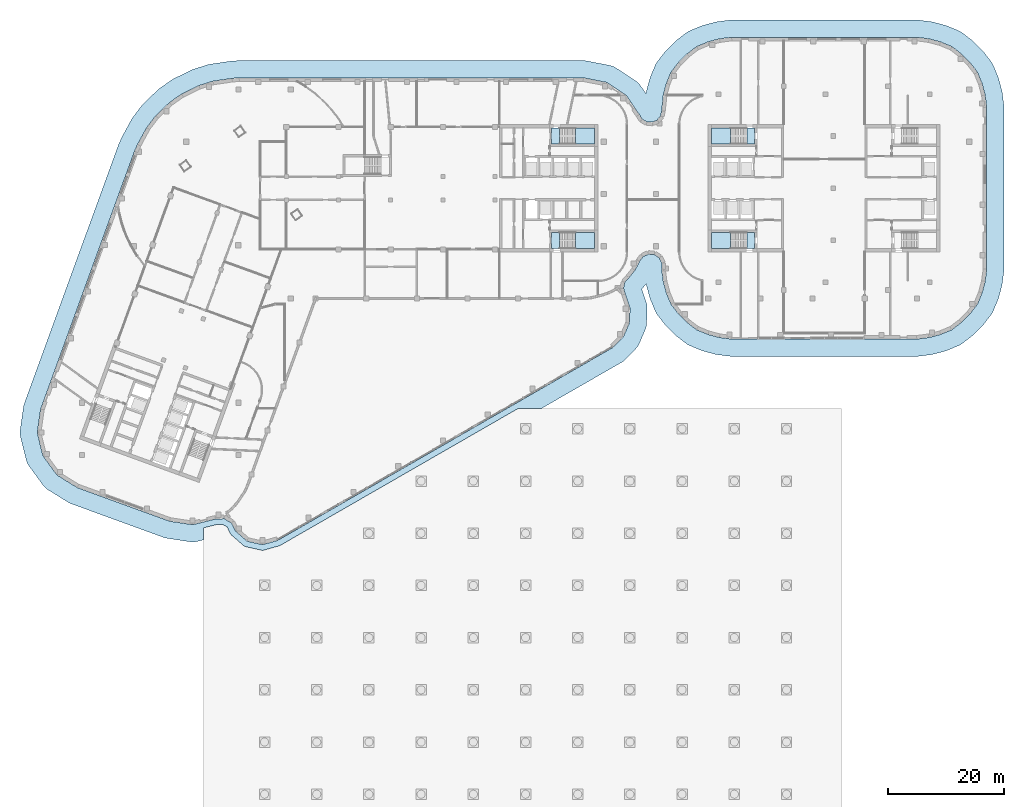
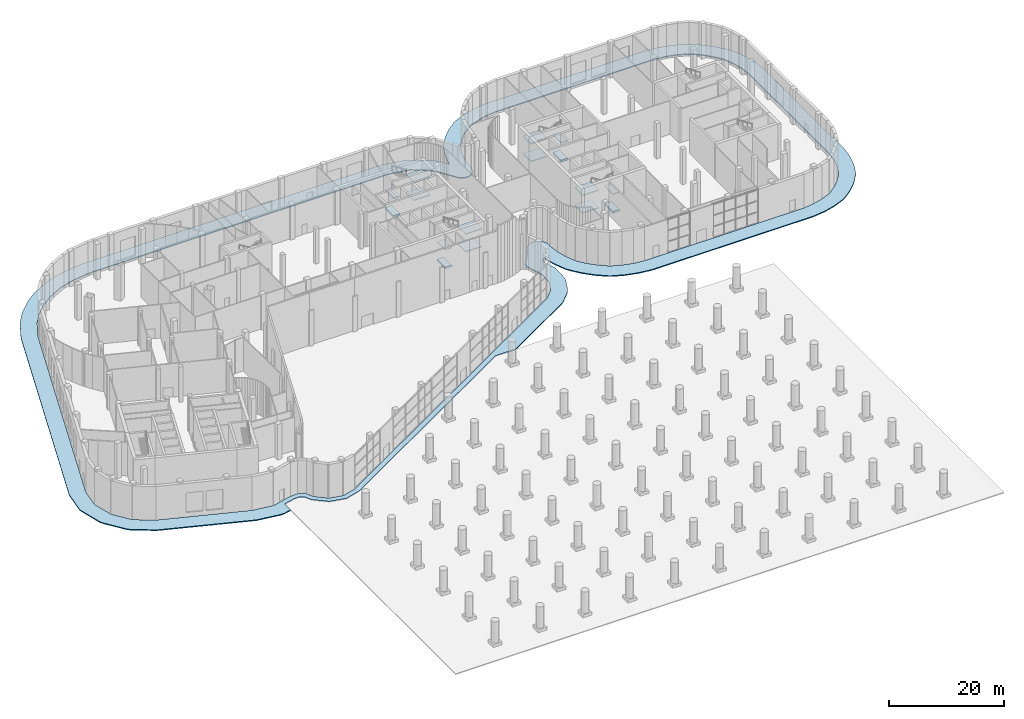
# One storey, part 10 of 30: 17 slabs, 4 elements without a shape of their own.
"""IFC4 building model written with IfcOpenShell, lengths in metres."""

from ifc_helpers import new_model, si_unit, direction, frame, origin, place, context, subcontext, project, spatial, polyline, outline, extrude, material, layer, layer_set, type_object, element, aggregate, save


model = new_model("IFC4")

# Units and contexts
model_context = context("Model", 3, precision=1e-05, world=origin(), true_north=direction((0.0, 1.0)))
body_context = subcontext(model_context, "Body", "Model", "MODEL_VIEW")
ifc_project = project(units=[si_unit("LENGTHUNIT", "METRE"), si_unit("AREAUNIT", "SQUARE_METRE"), si_unit("VOLUMEUNIT", "CUBIC_METRE"), si_unit("PLANEANGLEUNIT", "RADIAN"), si_unit("MASSUNIT", "GRAM", prefix="KILO")], contexts=[model_context])

# Site, building, storey
site_placement = place(None, origin())
site = spatial("IfcSite", under=ifc_project, at=site_placement, CompositionType="ELEMENT")
building_placement = place(site_placement, origin())
building = spatial("IfcBuilding", under=site, at=building_placement, Name="Skarvind Civic Tower", CompositionType="ELEMENT")
storey_placement = place(building_placement, origin())
storey = spatial("IfcBuildingStorey", under=building, at=storey_placement, Name="L00", CompositionType="ELEMENT", Elevation=0.0)

# Slabs
ifc_material_1 = material(Name="Granite paving on bedding", Category="masonry")
ifc_layer_1 = layer(ifc_material_1, 0.199951171875)
ifc_layer_set_1 = layer_set([ifc_layer_1], Name="PV1 PAVING 200")
slab_type_1 = type_object("IfcSlabType", Name="PV1 PAVING 200", PredefinedType="USERDEFINED", material=ifc_layer_set_1)
slab_1_placement = place(storey_placement, frame((0.0, 0.0, -0.199951171875)))
element("IfcSlab", 1, at=slab_1_placement, inside=storey, type_object=slab_type_1, Name="FORECOURT PAVING", ObjectType="PAVING", PredefinedType="USERDEFINED", context=body_context, shape_type="SweptSolid", body=[
    extrude(outline(polyline([(38.548583984375, 67.022216796875), (38.25390625, 66.99365234375), (37.95751953125, 66.99462890625), (37.66259765625, 67.02490234375), (33.677490234375, 67.63232421875), (33.386962890625, 67.69140625), (33.103759765625, 67.779052734375), (17.169921875, 73.57861328125), (16.885009765625, 73.69921875), (16.614013671875, 73.848388671875), (13.1376953125, 76.006103515625), (12.8994140625, 76.17041015625), (12.677978515625, 76.356689453125), (12.4755859375, 76.563720703125), (12.294189453125, 76.789306640625), (9.885986328125, 80.0966796875), (9.72705078125, 80.338623046875), (9.59228515625, 80.5947265625), (9.48291015625, 80.86279296875), (9.399658203125, 81.139892578125), (8.413818359375, 85.11083984375), (8.35791015625, 85.394775390625), (8.329345703125, 85.6826171875), (8.32861328125, 85.97216796875), (8.35595703125, 86.26025390625), (8.937744140625, 90.31005859375), (8.99755859375, 90.61376953125), (9.08837890625, 90.909423828125), (25.287841796875, 135.41748046875), (25.37109375, 135.62255859375), (25.87060546875, 136.732177734375), (25.96875, 136.9306640625), (27.564453125, 139.87451171875), (27.6826171875, 140.073486328125), (27.815673828125, 140.26318359375), (29.337890625, 142.2607421875), (29.4853515625, 142.439453125), (29.64599609375, 142.606201171875), (32.0556640625, 144.9208984375), (32.228759765625, 145.07470703125), (32.4130859375, 145.214599609375), (34.470458984375, 146.6552734375), (34.6650390625, 146.78076171875), (34.868896484375, 146.890625), (37.8681640625, 148.36328125), (38.07958984375, 148.45751953125), (38.298095703125, 148.53466796875), (40.69580078125, 149.281982421875), (40.91943359375, 149.34228515625), (41.14697265625, 149.385009765625), (44.458984375, 149.877685546875), (44.67919921875, 149.902099609375), (45.892578125, 149.99169921875), (46.114013671875, 150.0), (105.478271484375, 150.0), (105.76611328125, 149.986083984375), (106.05126953125, 149.94482421875), (110.022216796875, 149.172119140625), (110.305908203125, 149.102294921875), (110.581298828125, 149.005615234375), (110.845947265625, 148.88232421875), (111.097412109375, 148.73388671875), (114.477783203125, 146.51123046875), (114.713623046875, 146.339111328125), (114.931640625, 146.144775390625), (115.129638671875, 145.930419921875), (115.30615234375, 145.697509765625), (116.281005859375, 144.27099609375), (116.293212890625, 144.39208984375), (116.327392578125, 144.6318359375), (116.380615234375, 144.8681640625), (116.90380859375, 146.82177734375), (117.029541015625, 147.1923828125), (117.837890625, 149.145751953125), (117.94873046875, 149.383544921875), (118.080078125, 149.61083984375), (118.230712890625, 149.82568359375), (119.518310546875, 151.50244140625), (119.776123046875, 151.796630859375), (121.203369140625, 153.223876953125), (121.49755859375, 153.481689453125), (123.17431640625, 154.769287109375), (123.38916015625, 154.919921875), (123.616455078125, 155.05126953125), (123.854248046875, 155.162109375), (125.8076171875, 155.970458984375), (126.17822265625, 156.09619140625), (128.1318359375, 156.619384765625), (128.516845703125, 156.696044921875), (130.630126953125, 156.974365234375), (131.021728515625, 157.0), (162.978271484375, 157.0), (163.369873046875, 156.974365234375), (165.483154296875, 156.696044921875), (165.8681640625, 156.619384765625), (167.82177734375, 156.09619140625), (168.1923828125, 155.970458984375), (170.145751953125, 155.162109375), (170.383544921875, 155.05126953125), (170.61083984375, 154.919921875), (170.82568359375, 154.769287109375), (172.50244140625, 153.481689453125), (172.796630859375, 153.223876953125), (174.223876953125, 151.796630859375), (174.481689453125, 151.50244140625), (175.769287109375, 149.82568359375), (175.919921875, 149.61083984375), (176.05126953125, 149.383544921875), (176.162109375, 149.145751953125), (176.970458984375, 147.1923828125), (177.09619140625, 146.82177734375), (177.619384765625, 144.8681640625), (177.696044921875, 144.483154296875), (177.974365234375, 142.369873046875), (178.0, 141.978271484375), (178.0, 114.021728515625), (177.974365234375, 113.630126953125), (177.696044921875, 111.516845703125), (177.619384765625, 111.1318359375), (177.09619140625, 109.17822265625), (176.970458984375, 108.8076171875), (176.162109375, 106.854248046875), (176.05126953125, 106.616455078125), (175.919921875, 106.38916015625), (175.769287109375, 106.17431640625), (174.481689453125, 104.49755859375), (174.223876953125, 104.203369140625), (172.796630859375, 102.776123046875), (172.50244140625, 102.518310546875), (170.82568359375, 101.230712890625), (170.61083984375, 101.080078125), (170.383544921875, 100.94873046875), (170.145751953125, 100.837890625), (168.1923828125, 100.029541015625), (167.82177734375, 99.90380859375), (165.8681640625, 99.380615234375), (165.483154296875, 99.303955078125), (163.369873046875, 99.025634765625), (162.978271484375, 99.0), (131.021728515625, 99.0), (130.630126953125, 99.025634765625), (128.516845703125, 99.303955078125), (128.1318359375, 99.380615234375), (126.17822265625, 99.90380859375), (125.8076171875, 100.029541015625), (123.854248046875, 100.837890625), (123.616455078125, 100.94873046875), (123.38916015625, 101.080078125), (123.17431640625, 101.230712890625), (121.49755859375, 102.518310546875), (121.203369140625, 102.776123046875), (119.776123046875, 104.203369140625), (119.518310546875, 104.49755859375), (118.230712890625, 106.17431640625), (118.080078125, 106.38916015625), (117.94873046875, 106.616455078125), (117.837890625, 106.854248046875), (117.029541015625, 108.8076171875), (116.90380859375, 109.17822265625), (116.380615234375, 111.1318359375), (116.3046875, 111.5126953125), (115.63330078125, 110.684814453125), (115.5517578125, 110.5888671875), (116.327392578125, 108.26318359375), (116.40185546875, 108.000732421875), (116.4521484375, 107.732666015625), (116.477783203125, 107.4609375), (116.478759765625, 107.188232421875), (116.37158203125, 104.635009765625), (116.347900390625, 104.36328125), (116.29931640625, 104.0947265625), (116.226806640625, 103.831787109375), (116.130615234375, 103.576416015625), (115.12158203125, 101.228515625), (115.002685546875, 100.98291015625), (114.86181640625, 100.74951171875), (114.7001953125, 100.529296875), (114.51953125, 100.3251953125), (112.740966796875, 98.489990234375), (112.5380859375, 98.29931640625), (112.318115234375, 98.1279296875), (112.083251953125, 97.977783203125), (98.221923828125, 90.0), (94.21240234375, 90.0), (53.25, 66.42431640625), (53.177490234375, 66.386474609375), (53.101806640625, 66.3544921875), (53.02392578125, 66.328857421875), (50.428955078125, 65.593505859375), (50.33251953125, 65.571044921875), (50.234375, 65.55859375), (50.135498046875, 65.5556640625), (50.03662109375, 65.5625), (49.939208984375, 65.579345703125), (47.30615234375, 66.164794921875), (47.210693359375, 66.191162109375), (47.118408203125, 66.226806640625), (47.030029296875, 66.271240234375), (46.9462890625, 66.32421875), (46.868408203125, 66.38525390625), (44.829833984375, 68.1513671875), (44.756591796875, 68.2216796875), (44.69091796875, 68.298828125), (44.63330078125, 68.382568359375), (44.58447265625, 68.471435546875), (44.05859375, 69.557861328125), (43.279052734375, 70.021484375), (42.172119140625, 69.969970703125), (40.0, 69.42919921875), (40.0, 67.3681640625), (38.839599609375, 67.079345703125), (38.548583984375, 67.022216796875)]), holes=[polyline([(52.76123046875, 67.273681640625), (110.5966796875, 100.560546875), (110.598388671875, 100.5615234375), (110.599853515625, 100.562744140625), (110.601318359375, 100.56396484375), (112.379638671875, 102.399169921875), (112.380859375, 102.400390625), (112.3818359375, 102.40185546875), (112.3828125, 102.403564453125), (112.3837890625, 102.405029296875), (113.392578125, 104.7529296875), (113.393310546875, 104.754638671875), (113.393798828125, 104.75634765625), (113.39404296875, 104.75830078125), (113.394287109375, 104.760009765625), (113.50146484375, 107.313232421875), (113.50146484375, 107.315185546875), (113.501220703125, 107.31689453125), (113.5009765625, 107.318603515625), (113.50048828125, 107.3203125), (112.69189453125, 109.744384765625), (112.3916015625, 110.752685546875), (112.618896484375, 111.77490234375), (113.318359375, 112.561279296875), (113.31884765625, 112.56201171875), (114.3818359375, 113.87255859375), (114.38330078125, 113.874267578125), (114.38427734375, 113.876220703125), (115.14990234375, 115.377685546875), (115.763427734375, 116.19580078125), (116.69384765625, 116.61181640625), (117.709228515625, 116.52392578125), (118.55419921875, 115.954345703125), (119.0166015625, 115.046142578125), (118.97998046875, 114.0224609375), (118.97998046875, 114.02099609375), (118.980224609375, 114.019287109375), (119.25830078125, 111.90576171875), (119.2587890625, 111.9033203125), (119.782470703125, 109.94970703125), (119.783203125, 109.947021484375), (120.591552734375, 107.99365234375), (120.59228515625, 107.9921875), (120.593017578125, 107.990478515625), (120.593994140625, 107.989013671875), (121.881591796875, 106.3125), (121.88330078125, 106.310546875), (123.310546875, 104.88330078125), (123.3125, 104.881591796875), (124.989013671875, 103.593994140625), (124.990478515625, 103.593017578125), (124.9921875, 103.59228515625), (124.99365234375, 103.591552734375), (126.947021484375, 102.783203125), (126.94970703125, 102.782470703125), (128.9033203125, 102.2587890625), (128.90576171875, 102.25830078125), (131.019287109375, 101.980224609375), (131.021728515625, 101.97998046875), (162.978271484375, 101.97998046875), (162.980712890625, 101.980224609375), (165.09423828125, 102.25830078125), (165.0966796875, 102.2587890625), (167.05029296875, 102.782470703125), (167.052978515625, 102.783203125), (169.00634765625, 103.591552734375), (169.0078125, 103.59228515625), (169.009521484375, 103.593017578125), (169.010986328125, 103.593994140625), (170.6875, 104.881591796875), (170.689453125, 104.88330078125), (172.11669921875, 106.310546875), (172.118408203125, 106.3125), (173.406005859375, 107.989013671875), (173.406982421875, 107.990478515625), (173.40771484375, 107.9921875), (173.408447265625, 107.99365234375), (174.216796875, 109.947021484375), (174.217529296875, 109.94970703125), (174.7412109375, 111.9033203125), (174.74169921875, 111.90576171875), (175.019775390625, 114.019287109375), (175.02001953125, 114.021728515625), (175.02001953125, 141.978271484375), (175.019775390625, 141.980712890625), (174.74169921875, 144.09423828125), (174.7412109375, 144.0966796875), (174.217529296875, 146.05029296875), (174.216796875, 146.052978515625), (173.408447265625, 148.00634765625), (173.40771484375, 148.0078125), (173.406982421875, 148.009521484375), (173.406005859375, 148.010986328125), (172.118408203125, 149.6875), (172.11669921875, 149.689453125), (170.689453125, 151.11669921875), (170.6875, 151.118408203125), (169.010986328125, 152.406005859375), (169.009521484375, 152.406982421875), (169.0078125, 152.40771484375), (169.00634765625, 152.408447265625), (167.052978515625, 153.216796875), (167.05029296875, 153.217529296875), (165.0966796875, 153.7412109375), (165.09423828125, 153.74169921875), (162.980712890625, 154.019775390625), (162.978271484375, 154.02001953125), (131.021728515625, 154.02001953125), (131.019287109375, 154.019775390625), (128.90576171875, 153.74169921875), (128.9033203125, 153.7412109375), (126.94970703125, 153.217529296875), (126.947021484375, 153.216796875), (124.99365234375, 152.408447265625), (124.9921875, 152.40771484375), (124.990478515625, 152.406982421875), (124.989013671875, 152.406005859375), (123.3125, 151.118408203125), (123.310546875, 151.11669921875), (121.88330078125, 149.689453125), (121.881591796875, 149.6875), (120.593994140625, 148.010986328125), (120.593017578125, 148.009521484375), (120.59228515625, 148.0078125), (120.591552734375, 148.00634765625), (119.783203125, 146.052978515625), (119.782470703125, 146.05029296875), (119.2587890625, 144.0966796875), (119.258544921875, 144.09521484375), (119.25830078125, 144.093505859375), (118.980224609375, 141.33154296875), (118.76708984375, 140.4365234375), (118.17578125, 139.736083984375), (117.33251953125, 139.376953125), (116.41796875, 139.436279296875), (115.6279296875, 139.90087890625), (115.129150390625, 140.675537109375), (115.12890625, 140.676025390625), (112.845947265625, 144.015869140625), (112.8447265625, 144.017333984375), (112.843505859375, 144.018798828125), (112.842041015625, 144.02001953125), (112.84033203125, 144.021240234375), (109.460205078125, 146.243896484375), (109.45849609375, 146.2451171875), (109.456787109375, 146.245849609375), (109.454833984375, 146.24658203125), (109.452880859375, 146.246826171875), (105.48193359375, 147.01953125), (105.47998046875, 147.02001953125), (105.478271484375, 147.02001953125), (46.114013671875, 147.02001953125), (46.1123046875, 147.02001953125), (44.89892578125, 146.93017578125), (44.8974609375, 146.929931640625), (41.585205078125, 146.4375), (41.583740234375, 146.437255859375), (41.582275390625, 146.436767578125), (39.184326171875, 145.689697265625), (39.18310546875, 145.689208984375), (39.181640625, 145.6884765625), (36.182373046875, 144.2158203125), (36.180908203125, 144.215087890625), (36.1796875, 144.214111328125), (34.122314453125, 142.773681640625), (34.12109375, 142.772705078125), (34.1201171875, 142.771728515625), (31.710205078125, 140.45703125), (31.709228515625, 140.455810546875), (31.708251953125, 140.45458984375), (30.18603515625, 138.45703125), (30.18505859375, 138.455810546875), (30.184326171875, 138.454345703125), (28.588623046875, 135.510498046875), (28.587890625, 135.50927734375), (28.088623046875, 134.399658203125), (28.088134765625, 134.398193359375), (11.888671875, 89.890380859375), (11.887939453125, 89.888427734375), (11.887451171875, 89.88623046875), (11.3056640625, 85.83642578125), (11.305419921875, 85.83447265625), (11.305419921875, 85.83251953125), (11.3056640625, 85.830810546875), (11.30615234375, 85.828857421875), (12.291748046875, 81.85791015625), (12.29248046875, 81.85595703125), (12.293212890625, 81.854248046875), (12.2939453125, 81.8525390625), (12.295166015625, 81.850830078125), (14.703369140625, 78.543212890625), (14.70458984375, 78.541748046875), (14.705810546875, 78.540283203125), (14.70751953125, 78.5390625), (14.708984375, 78.5380859375), (18.185302734375, 76.380615234375), (18.187255859375, 76.37939453125), (18.189208984375, 76.378662109375), (34.122802734375, 70.579345703125), (34.124755859375, 70.57861328125), (34.126708984375, 70.578369140625), (38.11181640625, 69.970703125), (38.11376953125, 69.970703125), (38.11572265625, 69.970458984375), (38.11767578125, 69.970703125), (38.11962890625, 69.97119140625), (42.029541015625, 70.9443359375), (43.52734375, 71.01416015625), (44.8125, 70.249755859375), (45.466552734375, 68.8984375), (45.467529296875, 68.896728515625), (45.46875, 68.89501953125), (45.469970703125, 68.8935546875), (45.471435546875, 68.89208984375), (47.51025390625, 67.1259765625), (47.51171875, 67.124755859375), (47.513427734375, 67.123779296875), (47.51513671875, 67.122802734375), (47.51708984375, 67.1220703125), (47.518798828125, 67.12158203125), (50.15185546875, 66.535888671875), (50.15380859375, 66.53564453125), (50.15576171875, 66.535400390625), (50.15771484375, 66.535400390625), (50.15966796875, 66.535888671875), (50.16162109375, 66.5361328125), (52.756591796875, 67.271728515625), (52.75830078125, 67.272216796875), (52.759765625, 67.27294921875), (52.76123046875, 67.273681640625)])]), origin(), (0.0, 0.0, 1.0), 0.199951171875),
])
ifc_material_2 = material(Name="Concrete C40/50", Category="concrete")
ifc_layer_2 = layer(ifc_material_2, 0.39990234375)
ifc_layer_set_2 = layer_set([ifc_layer_2], Name="Stair floor landing slab 400")
slab_type_2 = type_object("IfcSlabType", Name="Stair floor landing slab 400", PredefinedType="LANDING", material=ifc_layer_set_2)
slab_2_placement = place(storey_placement, frame((0.0, 0.0, -0.39990234375)))
element("IfcSlab", 2, at=slab_2_placement, inside=storey, type_object=slab_type_2, Name="Stair floor landing", PredefinedType="LANDING", context=body_context, shape_type="SweptSolid", body=[
    extrude(outline(polyline([(101.3505859375, 138.400634765625), (101.3505859375, 135.599365234375), (99.99951171875, 135.599365234375), (99.99951171875, 138.400634765625), (101.3505859375, 138.400634765625)])), origin(), (0.0, 0.0, 1.0), 0.39990234375),
])
slab_3_placement = place(storey_placement, frame((0.0, 0.0, -0.39990234375)))
element("IfcSlab", 3, at=slab_3_placement, inside=storey, type_object=slab_type_2, Name="Stair floor landing", PredefinedType="LANDING", context=body_context, shape_type="SweptSolid", body=[
    extrude(outline(polyline([(101.3505859375, 120.400634765625), (101.3505859375, 117.599365234375), (99.99951171875, 117.599365234375), (99.99951171875, 120.400634765625), (101.3505859375, 120.400634765625)])), origin(), (0.0, 0.0, 1.0), 0.39990234375),
])
slab_4_placement = place(storey_placement, frame((0.0, 0.0, -0.39990234375)))
element("IfcSlab", 4, at=slab_4_placement, inside=storey, type_object=slab_type_2, Name="Stair floor landing", PredefinedType="LANDING", context=body_context, shape_type="SweptSolid", body=[
    extrude(outline(polyline([(133.6494140625, 117.599365234375), (133.6494140625, 120.400634765625), (135.00048828125, 120.400634765625), (135.00048828125, 117.599365234375), (133.6494140625, 117.599365234375)])), origin(), (0.0, 0.0, 1.0), 0.39990234375),
])
slab_5_placement = place(storey_placement, frame((0.0, 0.0, -0.39990234375)))
element("IfcSlab", 5, at=slab_5_placement, inside=storey, type_object=slab_type_2, Name="Stair floor landing", PredefinedType="LANDING", context=body_context, shape_type="SweptSolid", body=[
    extrude(outline(polyline([(133.6494140625, 135.599365234375), (133.6494140625, 138.400634765625), (135.00048828125, 138.400634765625), (135.00048828125, 135.599365234375), (133.6494140625, 135.599365234375)])), origin(), (0.0, 0.0, 1.0), 0.39990234375),
])

# Stair, slabs
stair_type = type_object("IfcStairType", Name="Exit stair, half-turn, concrete", PredefinedType="HALF_TURN_STAIR", material=ifc_material_2)
stair_1_placement = place(storey_placement, origin())
stair_1 = element("IfcStair", 6, at=stair_1_placement, inside=storey, type_object=stair_type, Name="Exit stair C1S", PredefinedType="HALF_TURN_STAIR")
ifc_layer_3 = layer(ifc_material_2, 0.199951171875)
ifc_layer_set_3 = layer_set([ifc_layer_3], Name="Stair half landing slab")
slab_type_3 = type_object("IfcSlabType", Name="Stair half landing slab", PredefinedType="LANDING", material=ifc_layer_set_3)
slab_6_placement = place(storey_placement, frame((0.0, 0.0, 1.675048828125)))
slab_6 = element("IfcSlab", 7, at=slab_6_placement, type_object=slab_type_3, Name="ST-C1S landing 1", PredefinedType="LANDING", context=body_context, shape_type="SweptSolid", body=[
    extrude(outline(polyline([(104.1494140625, 135.599365234375), (104.1494140625, 138.400634765625), (107.400634765625, 138.400634765625), (107.400634765625, 135.599365234375), (104.1494140625, 135.599365234375)])), origin(), (0.0, 0.0, 1.0), 0.199951171875),
])
slab_7_placement = place(storey_placement, frame((0.0, 0.0, 3.550048828125)))
slab_7 = element("IfcSlab", 8, at=slab_7_placement, type_object=slab_type_3, Name="ST-C1S landing 2", PredefinedType="LANDING", context=body_context, shape_type="SweptSolid", body=[
    extrude(outline(polyline([(99.99951171875, 135.599365234375), (99.99951171875, 138.400634765625), (101.3505859375, 138.400634765625), (101.3505859375, 135.599365234375), (99.99951171875, 135.599365234375)])), origin(), (0.0, 0.0, 1.0), 0.199951171875),
])
slab_8_placement = place(storey_placement, frame((0.0, 0.0, 5.425048828125)))
slab_8 = element("IfcSlab", 9, at=slab_8_placement, type_object=slab_type_3, Name="ST-C1S landing 3", PredefinedType="LANDING", context=body_context, shape_type="SweptSolid", body=[
    extrude(outline(polyline([(104.1494140625, 135.599365234375), (104.1494140625, 138.400634765625), (107.400634765625, 138.400634765625), (107.400634765625, 135.599365234375), (104.1494140625, 135.599365234375)])), origin(), (0.0, 0.0, 1.0), 0.199951171875),
])
aggregate(stair_1, [slab_6, slab_7, slab_8])

stair_2_placement = place(storey_placement, origin())
stair_2 = element("IfcStair", 10, at=stair_2_placement, inside=storey, type_object=stair_type, Name="Exit stair C1N", PredefinedType="HALF_TURN_STAIR")
slab_9_placement = place(storey_placement, frame((0.0, 0.0, 1.675048828125)))
slab_9 = element("IfcSlab", 11, at=slab_9_placement, type_object=slab_type_3, Name="ST-C1N landing 1", PredefinedType="LANDING", context=body_context, shape_type="SweptSolid", body=[
    extrude(outline(polyline([(104.1494140625, 117.599365234375), (104.1494140625, 120.400634765625), (107.400634765625, 120.400634765625), (107.400634765625, 117.599365234375), (104.1494140625, 117.599365234375)])), origin(), (0.0, 0.0, 1.0), 0.199951171875),
])
slab_10_placement = place(storey_placement, frame((0.0, 0.0, 3.550048828125)))
slab_10 = element("IfcSlab", 12, at=slab_10_placement, type_object=slab_type_3, Name="ST-C1N landing 2", PredefinedType="LANDING", context=body_context, shape_type="SweptSolid", body=[
    extrude(outline(polyline([(99.99951171875, 117.599365234375), (99.99951171875, 120.400634765625), (101.3505859375, 120.400634765625), (101.3505859375, 117.599365234375), (99.99951171875, 117.599365234375)])), origin(), (0.0, 0.0, 1.0), 0.199951171875),
])
slab_11_placement = place(storey_placement, frame((0.0, 0.0, 5.425048828125)))
slab_11 = element("IfcSlab", 13, at=slab_11_placement, type_object=slab_type_3, Name="ST-C1N landing 3", PredefinedType="LANDING", context=body_context, shape_type="SweptSolid", body=[
    extrude(outline(polyline([(104.1494140625, 117.599365234375), (104.1494140625, 120.400634765625), (107.400634765625, 120.400634765625), (107.400634765625, 117.599365234375), (104.1494140625, 117.599365234375)])), origin(), (0.0, 0.0, 1.0), 0.199951171875),
])
aggregate(stair_2, [slab_9, slab_10, slab_11])

stair_3_placement = place(storey_placement, origin())
stair_3 = element("IfcStair", 14, at=stair_3_placement, inside=storey, type_object=stair_type, Name="Exit stair CAS", PredefinedType="HALF_TURN_STAIR")
slab_12_placement = place(storey_placement, frame((0.0, 0.0, 1.675048828125)))
slab_12 = element("IfcSlab", 15, at=slab_12_placement, type_object=slab_type_3, Name="ST-CAS landing 1", PredefinedType="LANDING", context=body_context, shape_type="SweptSolid", body=[
    extrude(outline(polyline([(130.8505859375, 120.400634765625), (130.8505859375, 117.599365234375), (127.599365234375, 117.599365234375), (127.599365234375, 120.400634765625), (130.8505859375, 120.400634765625)])), origin(), (0.0, 0.0, 1.0), 0.199951171875),
])
slab_13_placement = place(storey_placement, frame((0.0, 0.0, 3.550048828125)))
slab_13 = element("IfcSlab", 16, at=slab_13_placement, type_object=slab_type_3, Name="ST-CAS landing 2", PredefinedType="LANDING", context=body_context, shape_type="SweptSolid", body=[
    extrude(outline(polyline([(135.00048828125, 120.400634765625), (135.00048828125, 117.599365234375), (133.6494140625, 117.599365234375), (133.6494140625, 120.400634765625), (135.00048828125, 120.400634765625)])), origin(), (0.0, 0.0, 1.0), 0.199951171875),
])
slab_14_placement = place(storey_placement, frame((0.0, 0.0, 5.425048828125)))
slab_14 = element("IfcSlab", 17, at=slab_14_placement, type_object=slab_type_3, Name="ST-CAS landing 3", PredefinedType="LANDING", context=body_context, shape_type="SweptSolid", body=[
    extrude(outline(polyline([(130.8505859375, 120.400634765625), (130.8505859375, 117.599365234375), (127.599365234375, 117.599365234375), (127.599365234375, 120.400634765625), (130.8505859375, 120.400634765625)])), origin(), (0.0, 0.0, 1.0), 0.199951171875),
])
aggregate(stair_3, [slab_12, slab_13, slab_14])

stair_4_placement = place(storey_placement, origin())
stair_4 = element("IfcStair", 18, at=stair_4_placement, inside=storey, type_object=stair_type, Name="Exit stair CAN", PredefinedType="HALF_TURN_STAIR")
slab_15_placement = place(storey_placement, frame((0.0, 0.0, 1.675048828125)))
slab_15 = element("IfcSlab", 19, at=slab_15_placement, type_object=slab_type_3, Name="ST-CAN landing 1", PredefinedType="LANDING", context=body_context, shape_type="SweptSolid", body=[
    extrude(outline(polyline([(130.8505859375, 138.400634765625), (130.8505859375, 135.599365234375), (127.599365234375, 135.599365234375), (127.599365234375, 138.400634765625), (130.8505859375, 138.400634765625)])), origin(), (0.0, 0.0, 1.0), 0.199951171875),
])
slab_16_placement = place(storey_placement, frame((0.0, 0.0, 3.550048828125)))
slab_16 = element("IfcSlab", 20, at=slab_16_placement, type_object=slab_type_3, Name="ST-CAN landing 2", PredefinedType="LANDING", context=body_context, shape_type="SweptSolid", body=[
    extrude(outline(polyline([(135.00048828125, 138.400634765625), (135.00048828125, 135.599365234375), (133.6494140625, 135.599365234375), (133.6494140625, 138.400634765625), (135.00048828125, 138.400634765625)])), origin(), (0.0, 0.0, 1.0), 0.199951171875),
])
slab_17_placement = place(storey_placement, frame((0.0, 0.0, 5.425048828125)))
slab_17 = element("IfcSlab", 21, at=slab_17_placement, type_object=slab_type_3, Name="ST-CAN landing 3", PredefinedType="LANDING", context=body_context, shape_type="SweptSolid", body=[
    extrude(outline(polyline([(130.8505859375, 138.400634765625), (130.8505859375, 135.599365234375), (127.599365234375, 135.599365234375), (127.599365234375, 138.400634765625), (130.8505859375, 138.400634765625)])), origin(), (0.0, 0.0, 1.0), 0.199951171875),
])
aggregate(stair_4, [slab_15, slab_16, slab_17])

save(model, "model.ifc")
